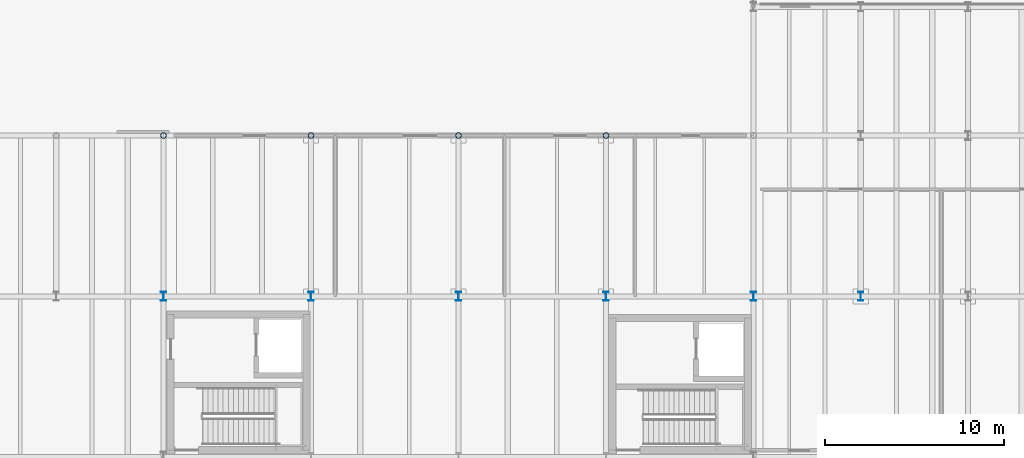
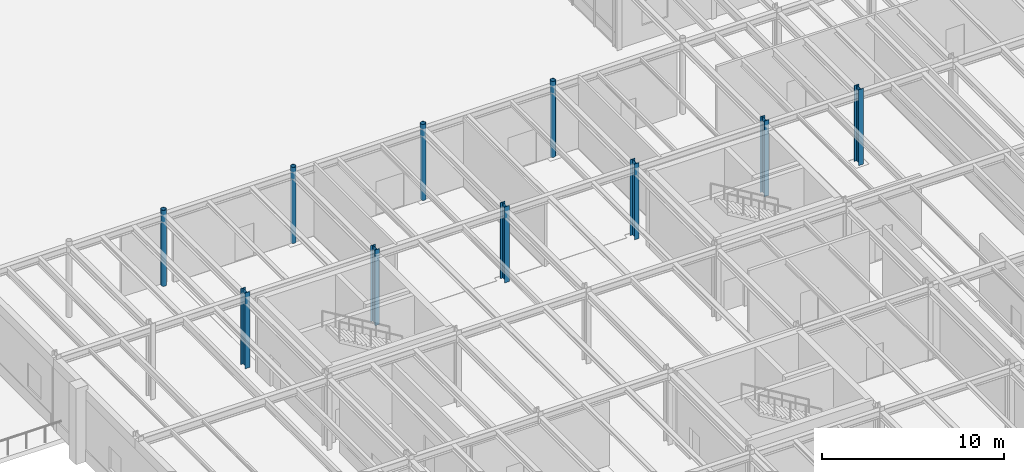
# One storey, part 6 of 64: 10 columns.
"""IFC4 building model written with IfcOpenShell, lengths in metres."""

from ifc_helpers import new_model, si_unit, direction, frame, origin, origin_2d, place, context, subcontext, project, spatial, hollow_circle, i_section, extrude, material, material_profile, profile_set, type_object, element, save


model = new_model("IFC4")

# Units and contexts
model_context = context("Model", 3, precision=1e-05, world=origin(), true_north=direction((0.0, 1.0)))
body_context = subcontext(model_context, "Body", "Model", "MODEL_VIEW")
ifc_project = project(units=[si_unit("LENGTHUNIT", "METRE"), si_unit("AREAUNIT", "SQUARE_METRE"), si_unit("VOLUMEUNIT", "CUBIC_METRE"), si_unit("PLANEANGLEUNIT", "RADIAN"), si_unit("MASSUNIT", "GRAM", prefix="KILO")], contexts=[model_context])

# Site, building, storey
site_placement = place(None, origin())
site = spatial("IfcSite", under=ifc_project, at=site_placement, CompositionType="ELEMENT")
building_placement = place(site_placement, origin())
building = spatial("IfcBuilding", under=site, at=building_placement, Name="Montealbar Specialist Clinic", CompositionType="ELEMENT")
storey_placement = place(building_placement, origin())
storey = spatial("IfcBuildingStorey", under=building, at=storey_placement, Name="L00", CompositionType="ELEMENT", Elevation=0.0)

# Columns
ifc_material = material(Name="Steel S355", Category="steel")
ifc_material_profile_1 = material_profile(ifc_material, hollow_circle(Radius=0.161865234375, WallThickness=0.01611328125, at=origin_2d()), Name="CHS 323.9x16.0", Category="steel")
ifc_profile_set_1 = profile_set([ifc_material_profile_1], Name="Steel S355")
column_type_1 = type_object("IfcColumnType", Name="COL-CHS-HALL", PredefinedType="COLUMN", material=ifc_profile_set_1)
for number, where, z_axis, x_axis, name in (
    (1, (66.0, 45.0, 0.0), (0.0, 0.0, 1.0), (1.0, 0.0, 0.0), "Column 9/F L00"),
    (2, (74.25, 45.0, 0.0), (0.0, 0.0, 1.0), (1.0, 0.0, 0.0), "Column 10/F L00"),
    (3, (82.5, 45.0, 0.0), (0.0, 0.0, 1.0), (1.0, 0.0, 0.0), "Column 11/F L00"),
    (4, (90.75, 45.0, 0.0), (0.0, 0.0, 1.0), (1.0, 0.0, 0.0), "Column 12/F L00"),
):
    element("IfcColumn", number, at=place(storey_placement, frame(where, z_axis=z_axis, x_axis=x_axis)), inside=storey, type_object=column_type_1, Name=name, PredefinedType="COLUMN", context=body_context, shape_type="SweptSolid", body=[
        extrude(hollow_circle(Radius=0.161865234375, WallThickness=0.01611328125, at=origin_2d()), origin(), (0.0, 0.0, 1.0), 5.10009765625),
    ])
ifc_material_profile_2 = material_profile(ifc_material, i_section(OverallWidth=0.300048828125, OverallDepth=0.5, WebThickness=0.014404296875, FlangeThickness=0.028076171875, FilletRadius=0.027099609375, at=origin_2d()), Name="HEB 500", Category="steel")
ifc_profile_set_2 = profile_set([ifc_material_profile_2], Name="Steel S355")
column_type_2 = type_object("IfcColumnType", Name="COL-S-L00-STD", PredefinedType="COLUMN", material=ifc_profile_set_2)
for number, where, z_axis, x_axis, name in (
    (5, (66.0, 36.0, 0.0), (0.0, 0.0, 1.0), (1.0, 0.0, 0.0), "Column 9/E L00"),
    (6, (74.25, 36.0, 0.0), (0.0, 0.0, 1.0), (1.0, 0.0, 0.0), "Column 10/E L00"),
    (7, (82.5, 36.0, 0.0), (0.0, 0.0, 1.0), (1.0, 0.0, 0.0), "Column 11/E L00"),
    (8, (90.75, 36.0, 0.0), (0.0, 0.0, 1.0), (1.0, 0.0, 0.0), "Column 12/E L00"),
    (9, (99.0, 36.0, 0.0), (0.0, 0.0, 1.0), (1.0, 0.0, 0.0), "Column 13/E L00"),
    (10, (105.0, 36.0, 0.0), (0.0, 0.0, 1.0), (1.0, 0.0, 0.0), "Column 14/E L00"),
):
    element("IfcColumn", number, at=place(storey_placement, frame(where, z_axis=z_axis, x_axis=x_axis)), inside=storey, type_object=column_type_2, Name=name, PredefinedType="COLUMN", context=body_context, shape_type="SweptSolid", body=[
        extrude(i_section(OverallWidth=0.300048828125, OverallDepth=0.5, WebThickness=0.014404296875, FlangeThickness=0.028076171875, FilletRadius=0.027099609375, at=origin_2d()), origin(), (0.0, 0.0, 1.0), 5.10009765625),
    ])

save(model, "model.ifc")
